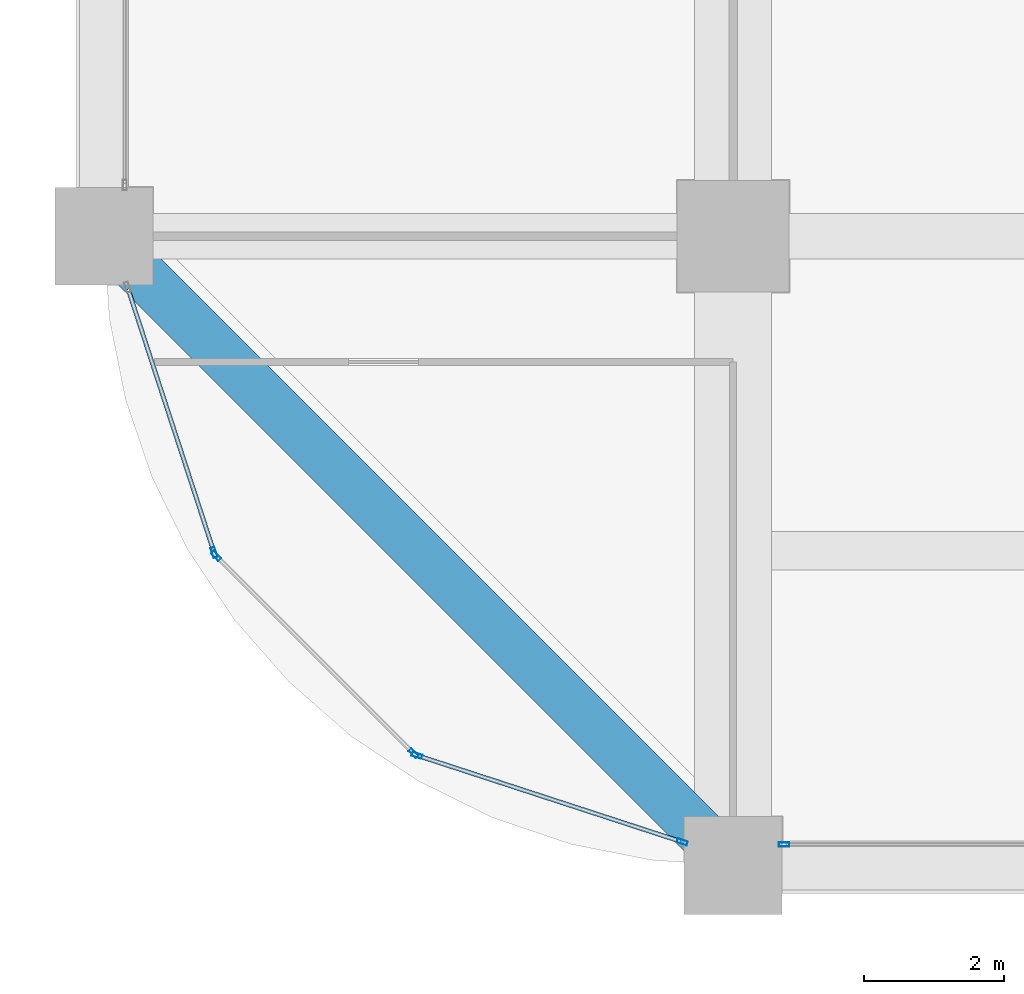
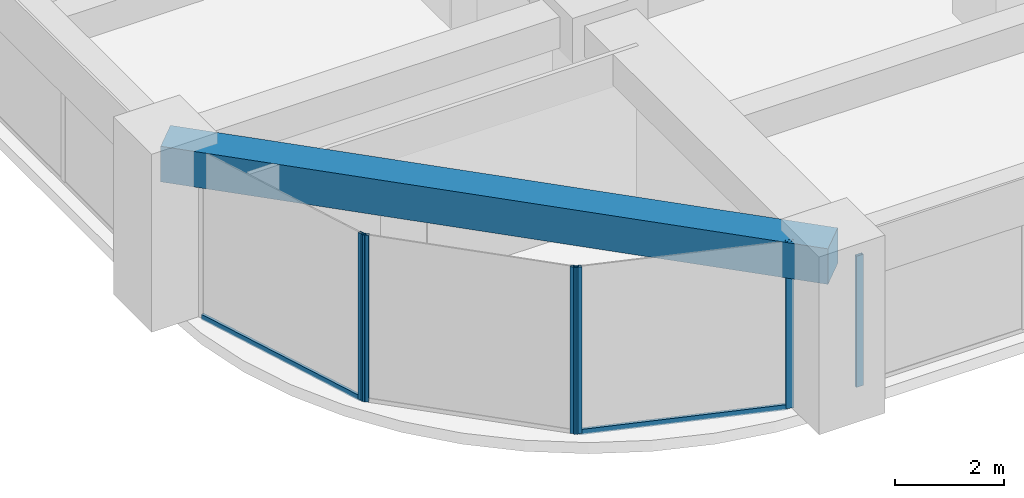
# One storey, part 2 of 32: 8 members, 1 beam, 4 elements without a shape of their own.
"""IFC4 building model written with IfcOpenShell, lengths in metres."""

from ifc_helpers import new_model, si_unit, direction, frame, origin, origin_2d, place, context, subcontext, project, spatial, rectangle, hollow_rectangle, extrude, material, material_profile, profile_set, type_object, element, aggregate, save


model = new_model("IFC4")

# Units and contexts
model_context = context("Model", 3, precision=1e-05, world=origin(), true_north=direction((0.0, 1.0)))
body_context = subcontext(model_context, "Body", "Model", "MODEL_VIEW")
ifc_project = project(units=[si_unit("LENGTHUNIT", "METRE"), si_unit("AREAUNIT", "SQUARE_METRE"), si_unit("VOLUMEUNIT", "CUBIC_METRE"), si_unit("PLANEANGLEUNIT", "RADIAN"), si_unit("MASSUNIT", "GRAM", prefix="KILO")], contexts=[model_context])

# Site, building, storey
site_placement = place(None, origin())
site = spatial("IfcSite", under=ifc_project, at=site_placement, CompositionType="ELEMENT")
building_placement = place(site_placement, origin())
building = spatial("IfcBuilding", under=site, at=building_placement, Name="Zorevar Civic Tower", CompositionType="ELEMENT")
storey_placement = place(building_placement, frame((0.0, 0.0, 186.199951171875)))
storey = spatial("IfcBuildingStorey", under=building, at=storey_placement, Name="L45", CompositionType="ELEMENT", Elevation=186.199951171875)

# Curtain wall, member
ifc_material_1 = material(Name="Dark grey solar-control glass in black aluminium frame", Category="aluminium")
curtain_wall_type = type_object("IfcCurtainWallType", Name="Curtain wall CW4 high zone", PredefinedType="NOTDEFINED", material=ifc_material_1)
curtain_wall_1_placement = place(storey_placement, origin())
curtain_wall_1 = element("IfcCurtainWall", 1, at=curtain_wall_1_placement, inside=storey, type_object=curtain_wall_type, Name="CW4 L45", PredefinedType="NOTDEFINED")
ifc_material_2 = material(Name="Aluminium, black anodised", Category="aluminium")
ifc_material_profile_1 = material_profile(ifc_material_2, hollow_rectangle(XDim=0.06005859375, YDim=0.14990234375, WallThickness=0.00390625, at=origin_2d()), Name="AL 150x60x4")
ifc_profile_set_1 = profile_set([ifc_material_profile_1], Name="Aluminium, black anodised")
member_type_1 = type_object("IfcMemberType", Name="CW4 mullion AL 150x60x4", PredefinedType="MULLION", material=ifc_profile_set_1)
member_1_placement = place(storey_placement, frame((9.72998046875, 0.300048828125, 0.0), z_axis=(0.0, 0.0, 1.0), x_axis=(0.0, 1.0, 0.0)))
member_1 = element("IfcMember", 2, at=member_1_placement, type_object=member_type_1, Name="CW4 mullion 1", PredefinedType="MULLION", context=body_context, shape_type="SweptSolid", body=[
    extrude(hollow_rectangle(XDim=0.06005859375, YDim=0.14990234375, WallThickness=0.00390625, at=origin_2d()), origin(), (0.0, 0.0, 1.0), 2.949951171875),
])
aggregate(curtain_wall_1, [member_1])

curtain_wall_2_placement = place(storey_placement, origin())
curtain_wall_2 = element("IfcCurtainWall", 3, at=curtain_wall_2_placement, inside=storey, type_object=curtain_wall_type, Name="CW4 L45", PredefinedType="NOTDEFINED")
member_2_placement = place(storey_placement, frame((1.57568359375, 4.477783203125, 0.0), z_axis=(0.0, 0.0, 1.0), x_axis=(0.950644749916, 0.310281419775, 0.0)))
member_2 = element("IfcMember", 4, at=member_2_placement, type_object=member_type_1, Name="CW4 mullion 2", PredefinedType="MULLION", context=body_context, shape_type="SweptSolid", body=[
    extrude(hollow_rectangle(XDim=0.06005859375, YDim=0.14990234375, WallThickness=0.00390625, at=origin_2d()), origin(), (0.0, 0.0, 1.0), 3.75),
])

# Curtain wall, members
curtain_wall_3_placement = place(storey_placement, origin())
curtain_wall_3 = element("IfcCurtainWall", 5, at=curtain_wall_3_placement, inside=storey, type_object=curtain_wall_type, Name="CW4 L45", PredefinedType="NOTDEFINED")
member_3_placement = place(storey_placement, frame((1.606201171875, 4.427978515625, 0.0), z_axis=(0.0, 0.0, 1.0), x_axis=(0.707106781187, 0.707106781187, 0.0)))
member_3 = element("IfcMember", 6, at=member_3_placement, type_object=member_type_1, Name="CW4 mullion 1", PredefinedType="MULLION", context=body_context, shape_type="SweptSolid", body=[
    extrude(hollow_rectangle(XDim=0.06005859375, YDim=0.14990234375, WallThickness=0.00390625, at=origin_2d()), origin(), (0.0, 0.0, 1.0), 3.75),
])
member_4_placement = place(storey_placement, frame((4.427978515625, 1.606201171875, 0.0), z_axis=(0.0, 0.0, 1.0), x_axis=(0.707106781187, 0.707106781187, 0.0)))
member_4 = element("IfcMember", 7, at=member_4_placement, type_object=member_type_1, Name="CW4 mullion 2", PredefinedType="MULLION", context=body_context, shape_type="SweptSolid", body=[
    extrude(hollow_rectangle(XDim=0.06005859375, YDim=0.14990234375, WallThickness=0.00390625, at=origin_2d()), origin(), (0.0, 0.0, 1.0), 3.75),
])
aggregate(curtain_wall_3, [member_3, member_4])

curtain_wall_4_placement = place(storey_placement, origin())
curtain_wall_4 = element("IfcCurtainWall", 8, at=curtain_wall_4_placement, inside=storey, type_object=curtain_wall_type, Name="CW4 L45", PredefinedType="NOTDEFINED")
member_5_placement = place(storey_placement, frame((4.477783203125, 1.57568359375, 0.0), z_axis=(0.0, 0.0, 1.0), x_axis=(0.310281419775, 0.950644749916, 0.0)))
member_5 = element("IfcMember", 9, at=member_5_placement, type_object=member_type_1, Name="CW4 mullion 1", PredefinedType="MULLION", context=body_context, shape_type="SweptSolid", body=[
    extrude(hollow_rectangle(XDim=0.06005859375, YDim=0.14990234375, WallThickness=0.00390625, at=origin_2d()), origin(), (0.0, 0.0, 1.0), 3.75),
])
member_6_placement = place(storey_placement, frame((8.271484375, 0.337646484375, 0.0), z_axis=(0.0, 0.0, 1.0), x_axis=(0.310281419775, 0.950644749916, 0.0)))
member_6 = element("IfcMember", 10, at=member_6_placement, type_object=member_type_1, Name="CW4 mullion 2", PredefinedType="MULLION", context=body_context, shape_type="SweptSolid", body=[
    extrude(hollow_rectangle(XDim=0.06005859375, YDim=0.14990234375, WallThickness=0.00390625, at=origin_2d()), origin(), (0.0, 0.0, 1.0), 3.75),
])

# Member
ifc_material_3 = material(Name="Aluminium, black anodised", Category="aluminium")
ifc_material_profile_2 = material_profile(ifc_material_3, hollow_rectangle(XDim=0.06005859375, YDim=0.1201171875, WallThickness=0.0029296875, at=origin_2d()), Name="AL 120x60x3")
ifc_profile_set_2 = profile_set([ifc_material_profile_2], Name="Aluminium, black anodised")
member_type_2 = type_object("IfcMemberType", Name="CW4 transom AL 120x60x3", PredefinedType="USERDEFINED", material=ifc_profile_set_2)
member_7_placement = place(storey_placement, frame((0.346923828125, 8.242919921875, 0.030029296875), z_axis=(0.31025859143, -0.950652200568, 0.0), x_axis=(0.950652200568, 0.31025859143, 0.0)))
member_7 = element("IfcMember", 11, at=member_7_placement, type_object=member_type_2, Name="CW4 sill transom", ObjectType="TRANSOM", PredefinedType="USERDEFINED", context=body_context, shape_type="SweptSolid", body=[
    extrude(hollow_rectangle(XDim=0.06005859375, YDim=0.1201171875, WallThickness=0.0029296875, at=origin_2d()), origin(), (0.0, 0.0, 1.0), 3.930419921875),
])

aggregate(curtain_wall_2, [member_2, member_7])

member_8_placement = place(storey_placement, frame((4.50634765625, 1.56640625, 0.030029296875), z_axis=(0.950652200568, -0.31025859143, 0.0), x_axis=(0.31025859143, 0.950652200568, 0.0)))
member_8 = element("IfcMember", 12, at=member_8_placement, type_object=member_type_2, Name="CW4 sill transom", ObjectType="TRANSOM", PredefinedType="USERDEFINED", context=body_context, shape_type="SweptSolid", body=[
    extrude(hollow_rectangle(XDim=0.06005859375, YDim=0.1201171875, WallThickness=0.0029296875, at=origin_2d()), origin(), (0.0, 0.0, 1.0), 3.930419921875),
])

aggregate(curtain_wall_4, [member_5, member_6, member_8])

# Beam
ifc_material_4 = material(Name="Concrete C50/60", Category="concrete")
ifc_material_profile_3 = material_profile(ifc_material_4, rectangle(XDim=0.699951171875, YDim=0.800048828125, at=origin_2d()), Name="RC 700x800")
ifc_profile_set_3 = profile_set([ifc_material_profile_3], Name="Concrete C50/60")
beam_type = type_object("IfcBeamType", Name="Edge beam RC 700x800", PredefinedType="SPANDREL", material=ifc_profile_set_3)
beam_placement = place(storey_placement, frame((0.0, 9.0, 3.35009765625), z_axis=(0.707106781187, -0.707106781187, 0.0), x_axis=(0.707106781187, 0.707106781187, 0.0)))
element("IfcBeam", 13, at=beam_placement, inside=storey, type_object=beam_type, Name="Corner edge beam L46", PredefinedType="SPANDREL", context=body_context, shape_type="SweptSolid", body=[
    extrude(rectangle(XDim=0.699951171875, YDim=0.800048828125, at=origin_2d()), origin(), (0.0, 0.0, 1.0), 12.72802734375),
])

save(model, "model.ifc")
